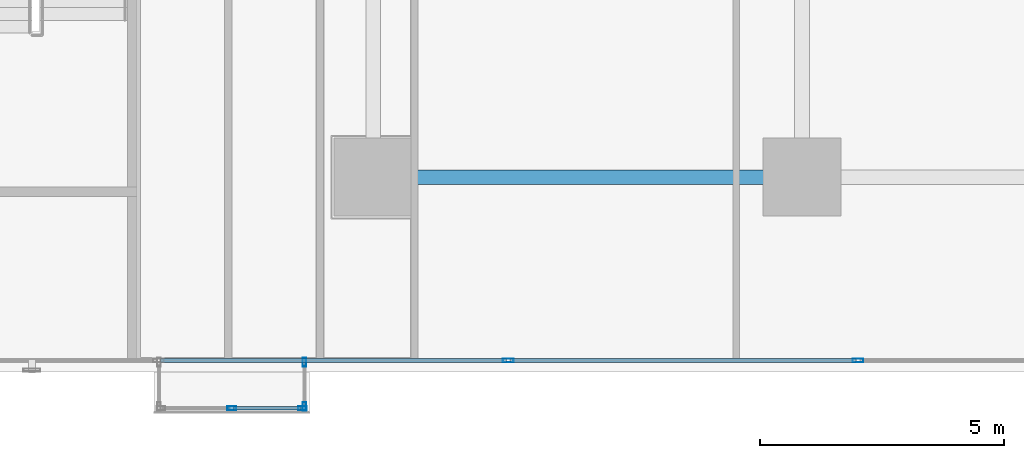
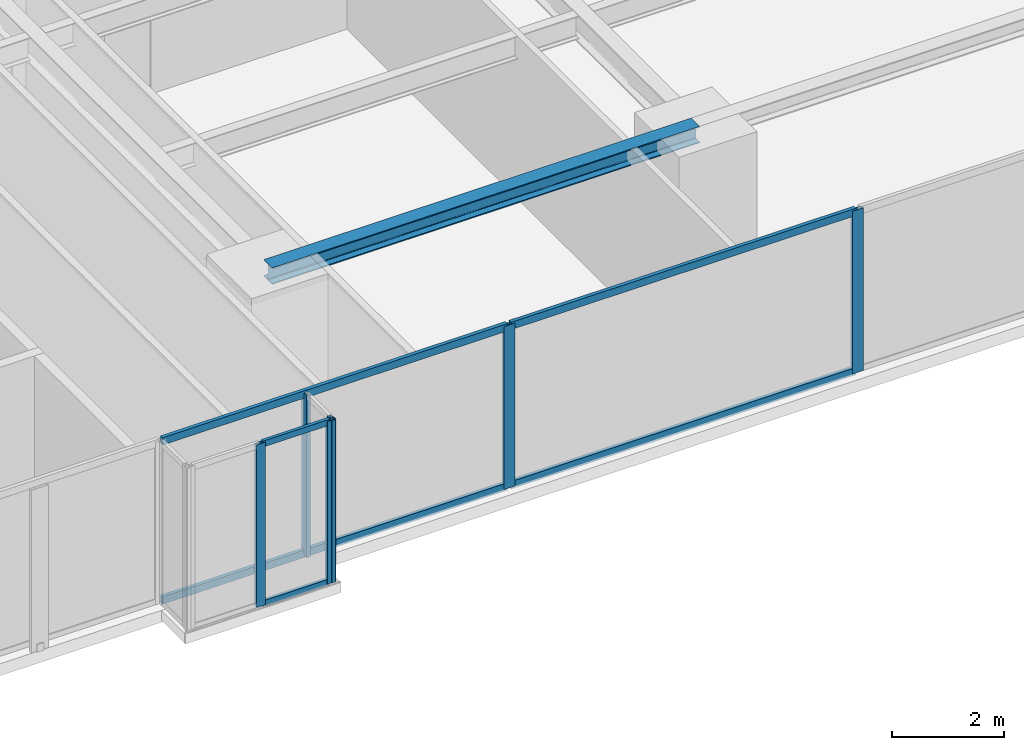
# One storey, part 9 of 29: 12 members, 1 beam, 3 elements without a shape of their own.
"""IFC4 building model written with IfcOpenShell, lengths in metres."""

from ifc_helpers import new_model, si_unit, direction, frame, origin, origin_with_axes, origin_2d, place, context, subcontext, project, spatial, hollow_rectangle, i_section, extrude, source, transform, mapped, material, layer, layer_set, material_profile, profile_set, type_object, element, aggregate, save


model = new_model("IFC4")

# Units and contexts
model_context = context("Model", 3, precision=1e-05, world=origin(), true_north=direction((0.0, 1.0)))
body_context = subcontext(model_context, "Body", "Model", "MODEL_VIEW")
ifc_project = project(units=[si_unit("LENGTHUNIT", "METRE"), si_unit("AREAUNIT", "SQUARE_METRE"), si_unit("VOLUMEUNIT", "CUBIC_METRE"), si_unit("PLANEANGLEUNIT", "RADIAN"), si_unit("MASSUNIT", "GRAM", prefix="KILO")], contexts=[model_context])

# Site, building, storey
site_placement = place(None, origin())
site = spatial("IfcSite", under=ifc_project, at=site_placement, CompositionType="ELEMENT")
building_placement = place(site_placement, origin())
building = spatial("IfcBuilding", under=site, at=building_placement, Name="Kolvaren Waterfront Exchange", CompositionType="ELEMENT")
storey_placement = place(building_placement, frame((0.0, 0.0, 37.199951171875)))
storey = spatial("IfcBuildingStorey", under=building, at=storey_placement, Name="L09", CompositionType="ELEMENT", Elevation=37.199951171875)

# Beam
ifc_material_1 = material(Name="Steel S355", Category="steel")
ifc_material_profile_1 = material_profile(ifc_material_1, i_section(OverallWidth=0.300048828125, OverallDepth=0.360107421875, WebThickness=0.012451171875, FlangeThickness=0.0224609375, FilletRadius=0.027099609375, at=origin_2d()), Name="HEB360")
ifc_profile_set_1 = profile_set([ifc_material_profile_1], Name="Steel S355")
beam_type = type_object("IfcBeamType", Name="STR-BM-HEB360", PredefinedType="SPANDREL", material=ifc_profile_set_1)
beam_placement = place(storey_placement, frame((36.800048828125, 5.199951171875, 3.360107421875), z_axis=(1.0, 0.0, 0.0), x_axis=(0.0, 1.0, 0.0)))
element("IfcBeam", 1, at=beam_placement, inside=storey, type_object=beam_type, Name="L09 east-arm spandrel S3", PredefinedType="SPANDREL", context=body_context, shape_type="SweptSolid", body=[
    extrude(i_section(OverallWidth=0.300048828125, OverallDepth=0.360107421875, WebThickness=0.012451171875, FlangeThickness=0.0224609375, FilletRadius=0.027099609375, at=origin_2d()), origin(), (0.0, 0.0, 1.0), 8.800048828125),
])

# Curtain wall, members
ifc_material_2 = material(Name="Anodised bronze aluminium 6063-T6", Category="aluminium")
ifc_layer_1 = layer(ifc_material_2, 0.219970703125, Name="Anodised bronze aluminium 6063-T6")
ifc_layer_set_1 = layer_set([ifc_layer_1], Name="Anodised bronze aluminium 6063-T6")
curtain_wall_type_1 = type_object("IfcCurtainWallType", Name="ARC-CW-SYS1", PredefinedType="USERDEFINED", material=ifc_layer_set_1)
curtain_wall_1_placement = place(storey_placement, origin())
curtain_wall_1 = element("IfcCurtainWall", 2, at=curtain_wall_1_placement, inside=storey, type_object=curtain_wall_type_1, Name="L09 stick curtain wall CW1 (CW-L09-S)", ObjectType="STICK CURTAIN WALL", PredefinedType="USERDEFINED")
ifc_material_3 = material(Name="Anodised aluminium 6063-T6", Category="aluminium")
ifc_material_profile_2 = material_profile(ifc_material_3, hollow_rectangle(XDim=0.074951171875, YDim=0.159912109375, WallThickness=0.00439453125, at=origin_2d()), Name="ALU-TRN-160x75x4.5")
ifc_profile_set_2 = profile_set([ifc_material_profile_2], Name="Anodised aluminium 6063-T6")
member_type_1 = type_object("IfcMemberType", Name="ARC-CWT-160", PredefinedType="USERDEFINED", material=ifc_profile_set_2)
shared_shape_1 = source(origin_with_axes(), body_context, "Body", "SweptSolid", [
    extrude(hollow_rectangle(XDim=0.074951171875, YDim=0.159912109375, WallThickness=0.00439453125, at=origin_2d()), origin(), (0.0, 0.0, 1.0), 7.094970703125),
])
member_1_placement = place(storey_placement, frame((32.43994140625, 1.43994140625, 0.03759765625), z_axis=(1.0, 0.0, 0.0), x_axis=(0.0, 1.0, 0.0)))
member_1 = element("IfcMember", 3, at=member_1_placement, type_object=member_type_1, Name="CW1 transom 5.1", ObjectType="TRANSOM", PredefinedType="USERDEFINED", context=body_context, shape_type="MappedRepresentation", body=[
    mapped(shared_shape_1, transform((0.0, 0.0, 0.0), x_axis=(1.0, 0.0, 0.0), y_axis=(0.0, 1.0, 0.0), z_axis=(0.0, 0.0, 1.0), scale=1.0)),
])
member_2_placement = place(storey_placement, frame((32.43994140625, 1.43994140625, 3.50244140625), z_axis=(1.0, 0.0, 0.0), x_axis=(0.0, 1.0, 0.0)))
member_2 = element("IfcMember", 4, at=member_2_placement, type_object=member_type_1, Name="CW1 transom 5.2", ObjectType="TRANSOM", PredefinedType="USERDEFINED", context=body_context, shape_type="MappedRepresentation", body=[
    mapped(shared_shape_1, transform((0.0, 0.0, 0.0), x_axis=(1.0, 0.0, 0.0), y_axis=(0.0, 1.0, 0.0), z_axis=(0.0, 0.0, 1.0), scale=1.0)),
])
member_3_placement = place(storey_placement, frame((39.614990234375, 1.43994140625, 0.03759765625), z_axis=(1.0, 0.0, 0.0), x_axis=(0.0, 1.0, 0.0)))
member_3 = element("IfcMember", 5, at=member_3_placement, type_object=member_type_1, Name="CW1 transom 6.1", ObjectType="TRANSOM", PredefinedType="USERDEFINED", context=body_context, shape_type="MappedRepresentation", body=[
    mapped(shared_shape_1, transform((0.0, 0.0, 0.0), x_axis=(1.0, 0.0, 0.0), y_axis=(0.0, 1.0, 0.0), z_axis=(0.0, 0.0, 1.0), scale=1.0)),
])
member_4_placement = place(storey_placement, frame((39.614990234375, 1.43994140625, 3.50244140625), z_axis=(1.0, 0.0, 0.0), x_axis=(0.0, 1.0, 0.0)))
member_4 = element("IfcMember", 6, at=member_4_placement, type_object=member_type_1, Name="CW1 transom 6.2", ObjectType="TRANSOM", PredefinedType="USERDEFINED", context=body_context, shape_type="MappedRepresentation", body=[
    mapped(shared_shape_1, transform((0.0, 0.0, 0.0), x_axis=(1.0, 0.0, 0.0), y_axis=(0.0, 1.0, 0.0), z_axis=(0.0, 0.0, 1.0), scale=1.0)),
])

ifc_layer_2 = layer(ifc_material_2, 0.219970703125, Name="Anodised bronze aluminium 6063-T6")
ifc_layer_set_2 = layer_set([ifc_layer_2], Name="Anodised bronze aluminium 6063-T6")
curtain_wall_type_2 = type_object("IfcCurtainWallType", Name="ARC-CW-SYS3", PredefinedType="USERDEFINED", material=ifc_layer_set_2)
curtain_wall_2_placement = place(storey_placement, origin())
curtain_wall_2 = element("IfcCurtainWall", 7, at=curtain_wall_2_placement, inside=storey, type_object=curtain_wall_type_2, Name="L09 stick curtain wall CW3 (CW-L09-BOX)", ObjectType="STICK CURTAIN WALL", PredefinedType="USERDEFINED")
ifc_material_profile_3 = material_profile(ifc_material_2, hollow_rectangle(XDim=0.074951171875, YDim=0.179931640625, WallThickness=0.00439453125, at=origin_2d()), Name="ALU-MUL-180x75x4.5")
ifc_profile_set_3 = profile_set([ifc_material_profile_3], Name="Anodised bronze aluminium 6063-T6")
member_type_2 = type_object("IfcMemberType", Name="ARC-CWM-180", PredefinedType="MULLION", material=ifc_profile_set_3)
shared_shape_2 = source(origin_with_axes(), body_context, "Body", "SweptSolid", [
    extrude(hollow_rectangle(XDim=0.074951171875, YDim=0.179931640625, WallThickness=0.00439453125, at=origin_2d()), origin(), (0.0, 0.0, 1.0), 3.5400390625),
])
member_5_placement = place(storey_placement, frame((33.89990234375, 0.4599609375, 0.0), z_axis=(0.0, 0.0, 1.0), x_axis=(0.0, 1.0, 0.0)))
member_5 = element("IfcMember", 8, at=member_5_placement, type_object=member_type_2, Name="CW3 mullion 2", PredefinedType="MULLION", context=body_context, shape_type="MappedRepresentation", body=[
    mapped(shared_shape_2, transform((0.0, 0.0, 0.0), x_axis=(1.0, 0.0, 0.0), y_axis=(0.0, 1.0, 0.0), z_axis=(0.0, 0.0, 1.0), scale=1.0)),
])
member_6_placement = place(storey_placement, frame((35.3525390625, 0.4599609375, 0.0), z_axis=(0.0, 0.0, 1.0), x_axis=(0.0, 1.0, 0.0)))
member_6 = element("IfcMember", 9, at=member_6_placement, type_object=member_type_2, Name="CW3 mullion 3", PredefinedType="MULLION", context=body_context, shape_type="MappedRepresentation", body=[
    mapped(shared_shape_2, transform((0.0, 0.0, 0.0), x_axis=(1.0, 0.0, 0.0), y_axis=(0.0, 1.0, 0.0), z_axis=(0.0, 0.0, 1.0), scale=1.0)),
])

curtain_wall_3_placement = place(storey_placement, origin())
curtain_wall_3 = element("IfcCurtainWall", 10, at=curtain_wall_3_placement, inside=storey, type_object=curtain_wall_type_2, Name="L09 stick curtain wall CW3 (CW-L09-BOX-E)", ObjectType="STICK CURTAIN WALL", PredefinedType="USERDEFINED")
member_7_placement = place(storey_placement, frame((35.389892578125, 0.49755859375, 0.0), z_axis=(0.0, 0.0, 1.0), x_axis=(-1.0, 0.0, 0.0)))
member_7 = element("IfcMember", 11, at=member_7_placement, type_object=member_type_2, Name="CW3 mullion 1", PredefinedType="MULLION", context=body_context, shape_type="MappedRepresentation", body=[
    mapped(shared_shape_2, transform((0.0, 0.0, 0.0), x_axis=(1.0, 0.0, 0.0), y_axis=(0.0, 1.0, 0.0), z_axis=(0.0, 0.0, 1.0), scale=1.0)),
])
member_8_placement = place(storey_placement, frame((35.389892578125, 1.402587890625, 0.0), z_axis=(0.0, 0.0, 1.0), x_axis=(-1.0, 0.0, 0.0)))
member_8 = element("IfcMember", 12, at=member_8_placement, type_object=member_type_2, Name="CW3 mullion 2", PredefinedType="MULLION", context=body_context, shape_type="MappedRepresentation", body=[
    mapped(shared_shape_2, transform((0.0, 0.0, 0.0), x_axis=(1.0, 0.0, 0.0), y_axis=(0.0, 1.0, 0.0), z_axis=(0.0, 0.0, 1.0), scale=1.0)),
])
aggregate(curtain_wall_3, [member_7, member_8])

# Member
ifc_material_profile_4 = material_profile(ifc_material_2, hollow_rectangle(XDim=0.06494140625, YDim=0.1298828125, WallThickness=0.00390625, at=origin_2d()), Name="ALU-TRN-130x65x4")
ifc_profile_set_4 = profile_set([ifc_material_profile_4], Name="Anodised bronze aluminium 6063-T6")
member_type_3 = type_object("IfcMemberType", Name="ARC-CWT-130", PredefinedType="USERDEFINED", material=ifc_profile_set_4)
shared_shape_3 = source(origin_with_axes(), body_context, "Body", "SweptSolid", [
    extrude(hollow_rectangle(XDim=0.06494140625, YDim=0.1298828125, WallThickness=0.00390625, at=origin_2d()), origin(), (0.0, 0.0, 1.0), 1.37744140625),
])
member_9_placement = place(storey_placement, frame((33.9375, 0.4599609375, 0.032470703125), z_axis=(1.0, 0.0, 0.0), x_axis=(0.0, 1.0, 0.0)))
member_9 = element("IfcMember", 13, at=member_9_placement, type_object=member_type_3, Name="CW3 transom 2.1", ObjectType="TRANSOM", PredefinedType="USERDEFINED", context=body_context, shape_type="MappedRepresentation", body=[
    mapped(shared_shape_3, transform((0.0, 0.0, 0.0), x_axis=(1.0, 0.0, 0.0), y_axis=(0.0, 1.0, 0.0), z_axis=(0.0, 0.0, 1.0), scale=1.0)),
])

member_10_placement = place(storey_placement, frame((33.9375, 0.4599609375, 3.507568359375), z_axis=(1.0, 0.0, 0.0), x_axis=(0.0, 1.0, 0.0)))
member_10 = element("IfcMember", 14, at=member_10_placement, type_object=member_type_3, Name="CW3 transom 2.2", ObjectType="TRANSOM", PredefinedType="USERDEFINED", context=body_context, shape_type="MappedRepresentation", body=[
    mapped(shared_shape_3, transform((0.0, 0.0, 0.0), x_axis=(1.0, 0.0, 0.0), y_axis=(0.0, 1.0, 0.0), z_axis=(0.0, 0.0, 1.0), scale=1.0)),
])

aggregate(curtain_wall_2, [member_5, member_6, member_9, member_10])

ifc_material_profile_5 = material_profile(ifc_material_3, hollow_rectangle(XDim=0.080078125, YDim=0.219970703125, WallThickness=0.0048828125, at=origin_2d()), Name="ALU-MUL-220x80x5")
ifc_profile_set_5 = profile_set([ifc_material_profile_5], Name="Anodised aluminium 6063-T6")
member_type_4 = type_object("IfcMemberType", Name="ARC-CWM-220", PredefinedType="MULLION", material=ifc_profile_set_5)
shared_shape_4 = source(origin_with_axes(), body_context, "Body", "SweptSolid", [
    extrude(hollow_rectangle(XDim=0.080078125, YDim=0.219970703125, WallThickness=0.0048828125, at=origin_2d()), origin(), (0.0, 0.0, 1.0), 3.5400390625),
])
member_11_placement = place(storey_placement, frame((39.574951171875, 1.43994140625, 0.0), z_axis=(0.0, 0.0, 1.0), x_axis=(0.0, 1.0, 0.0)))
member_11 = element("IfcMember", 15, at=member_11_placement, type_object=member_type_4, Name="CW1 mullion 6", PredefinedType="MULLION", context=body_context, shape_type="MappedRepresentation", body=[
    mapped(shared_shape_4, transform((0.0, 0.0, 0.0), x_axis=(1.0, 0.0, 0.0), y_axis=(0.0, 1.0, 0.0), z_axis=(0.0, 0.0, 1.0), scale=1.0)),
])

member_12_placement = place(storey_placement, frame((46.75, 1.43994140625, 0.0), z_axis=(0.0, 0.0, 1.0), x_axis=(0.0, 1.0, 0.0)))
member_12 = element("IfcMember", 16, at=member_12_placement, type_object=member_type_4, Name="CW1 mullion 7", PredefinedType="MULLION", context=body_context, shape_type="MappedRepresentation", body=[
    mapped(shared_shape_4, transform((0.0, 0.0, 0.0), x_axis=(1.0, 0.0, 0.0), y_axis=(0.0, 1.0, 0.0), z_axis=(0.0, 0.0, 1.0), scale=1.0)),
])

aggregate(curtain_wall_1, [member_11, member_12, member_1, member_2, member_3, member_4])

save(model, "model.ifc")
